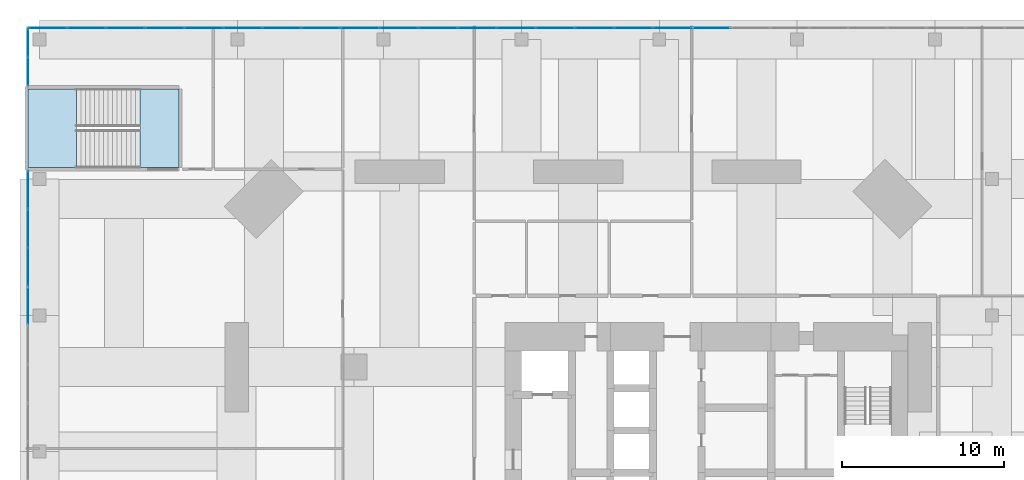
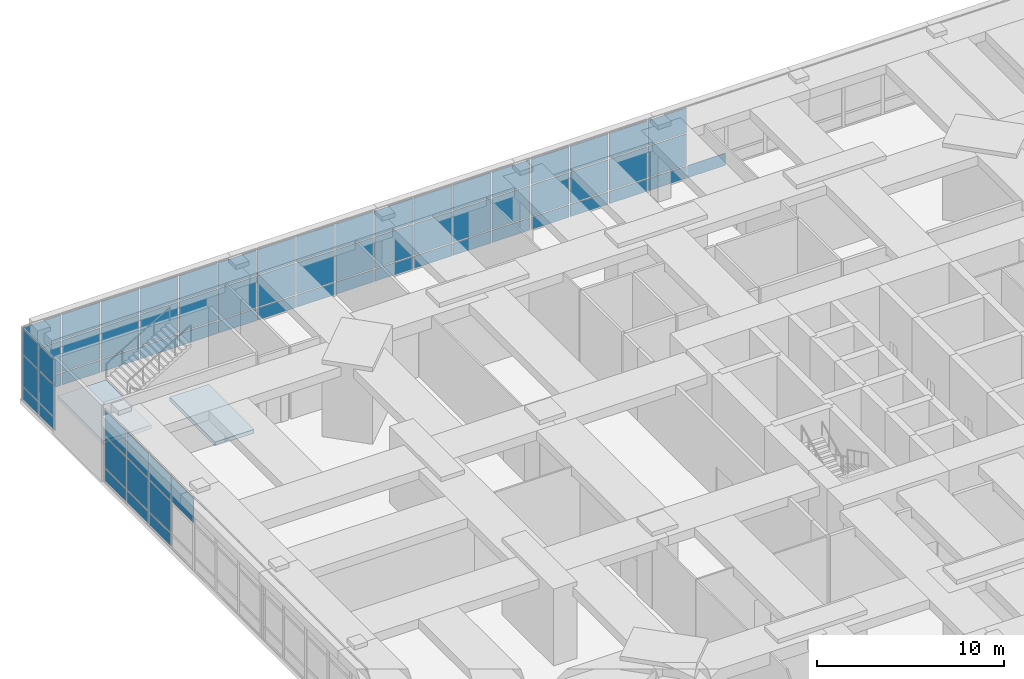
# One storey, part 15 of 22: 68 plates, 2 slabs, 4 elements without a shape of their own.
"""IFC4 building model written with IfcOpenShell, lengths in metres."""

from ifc_helpers import new_model, si_unit, direction, frame, origin, origin_2d, place, context, subcontext, project, spatial, polyline, rectangle, outline, extrude, material, layer, layer_set, type_object, element, aggregate, save


model = new_model("IFC4")

# Units and contexts
model_context = context("Model", 3, precision=1e-05, world=origin(), true_north=direction((0.0, 1.0)))
body_context = subcontext(model_context, "Body", "Model", "MODEL_VIEW")
ifc_project = project(units=[si_unit("LENGTHUNIT", "METRE"), si_unit("AREAUNIT", "SQUARE_METRE"), si_unit("VOLUMEUNIT", "CUBIC_METRE"), si_unit("PLANEANGLEUNIT", "RADIAN"), si_unit("MASSUNIT", "GRAM", prefix="KILO")], contexts=[model_context])

# Site, building, storey
site_placement = place(None, origin())
site = spatial("IfcSite", under=ifc_project, at=site_placement, CompositionType="ELEMENT")
building_placement = place(site_placement, origin())
building = spatial("IfcBuilding", under=site, at=building_placement, Name="Jalousie Tower", CompositionType="ELEMENT")
storey_placement = place(building_placement, frame((0.0, 0.0, 6.0)))
storey = spatial("IfcBuildingStorey", under=building, at=storey_placement, Name="L01", CompositionType="ELEMENT", Elevation=6.0)

# Curtain wall, plates
ifc_material_1 = material(Name="Aluminium curtain wall", Category="aluminium")
curtain_wall_type = type_object("IfcCurtainWallType", Name="PODIUM WINDOW WALL", PredefinedType="USERDEFINED", material=ifc_material_1)
curtain_wall_1_placement = place(storey_placement, origin())
curtain_wall_1 = element("IfcCurtainWall", 1, at=curtain_wall_1_placement, inside=storey, type_object=curtain_wall_type, Name="Podium Window Wall L01 21", ObjectType="PODIUM WINDOW WALL", PredefinedType="USERDEFINED")
ifc_material_2 = material(Name="Laminated impact-rated glass", Category="glass")
ifc_layer_1 = layer(ifc_material_2, 0.030029296875)
ifc_layer_set_1 = layer_set([ifc_layer_1], Name="Laminated impact-rated glass")
plate_type = type_object("IfcPlateType", Name="PODIUM WINDOW WALL PANEL", PredefinedType="CURTAIN_PANEL", material=ifc_layer_set_1)
plate_1_placement = place(storey_placement, frame((32.223388671875, 45.91259765625, 0.070068359375), z_axis=(0.0, 0.0, 1.0), x_axis=(-1.0, 0.0, 0.0)))
plate_1 = element("IfcPlate", 2, at=plate_1_placement, type_object=plate_type, Name="CW-P panel 12.1", PredefinedType="CURTAIN_PANEL", context=body_context, shape_type="SweptSolid", body=[
    extrude(rectangle(XDim=2.337646484375, YDim=0.030029296875, at=origin_2d()), origin(), (0.0, 0.0, 1.0), 0.794921875),
])
plate_2_placement = place(storey_placement, frame((29.8154296875, 45.91259765625, 0.070068359375), z_axis=(0.0, 0.0, 1.0), x_axis=(-1.0, 0.0, 0.0)))
plate_2 = element("IfcPlate", 3, at=plate_2_placement, type_object=plate_type, Name="CW-P panel 13.1", PredefinedType="CURTAIN_PANEL", context=body_context, shape_type="SweptSolid", body=[
    extrude(rectangle(XDim=2.337646484375, YDim=0.030029296875, at=origin_2d()), origin(), (0.0, 0.0, 1.0), 0.794921875),
])
plate_3_placement = place(storey_placement, frame((29.8154296875, 45.91259765625, 0.93505859375), z_axis=(0.0, 0.0, 1.0), x_axis=(-1.0, 0.0, 0.0)))
plate_3 = element("IfcPlate", 4, at=plate_3_placement, type_object=plate_type, Name="CW-P panel 13.2", PredefinedType="CURTAIN_PANEL", context=body_context, shape_type="SweptSolid", body=[
    extrude(rectangle(XDim=2.337646484375, YDim=0.030029296875, at=origin_2d()), origin(), (0.0, 0.0, 1.0), 2.030029296875),
])
plate_4_placement = place(storey_placement, frame((29.8154296875, 45.91259765625, 3.03515625), z_axis=(0.0, 0.0, 1.0), x_axis=(-1.0, 0.0, 0.0)))
plate_4 = element("IfcPlate", 5, at=plate_4_placement, type_object=plate_type, Name="CW-P panel 13.3", PredefinedType="CURTAIN_PANEL", context=body_context, shape_type="SweptSolid", body=[
    extrude(rectangle(XDim=2.337646484375, YDim=0.030029296875, at=origin_2d()), origin(), (0.0, 0.0, 1.0), 1.614990234375),
])
plate_5_placement = place(storey_placement, frame((27.40771484375, 45.91259765625, 0.070068359375), z_axis=(0.0, 0.0, 1.0), x_axis=(-1.0, 0.0, 0.0)))
plate_5 = element("IfcPlate", 6, at=plate_5_placement, type_object=plate_type, Name="CW-P panel 14.1", PredefinedType="CURTAIN_PANEL", context=body_context, shape_type="SweptSolid", body=[
    extrude(rectangle(XDim=2.337646484375, YDim=0.030029296875, at=origin_2d()), origin(), (0.0, 0.0, 1.0), 0.794921875),
])
plate_6_placement = place(storey_placement, frame((27.40771484375, 45.91259765625, 0.93505859375), z_axis=(0.0, 0.0, 1.0), x_axis=(-1.0, 0.0, 0.0)))
plate_6 = element("IfcPlate", 7, at=plate_6_placement, type_object=plate_type, Name="CW-P panel 14.2", PredefinedType="CURTAIN_PANEL", context=body_context, shape_type="SweptSolid", body=[
    extrude(rectangle(XDim=2.337646484375, YDim=0.030029296875, at=origin_2d()), origin(), (0.0, 0.0, 1.0), 2.030029296875),
])
plate_7_placement = place(storey_placement, frame((27.40771484375, 45.91259765625, 3.03515625), z_axis=(0.0, 0.0, 1.0), x_axis=(-1.0, 0.0, 0.0)))
plate_7 = element("IfcPlate", 8, at=plate_7_placement, type_object=plate_type, Name="CW-P panel 14.3", PredefinedType="CURTAIN_PANEL", context=body_context, shape_type="SweptSolid", body=[
    extrude(rectangle(XDim=2.337646484375, YDim=0.030029296875, at=origin_2d()), origin(), (0.0, 0.0, 1.0), 1.614990234375),
])
plate_8_placement = place(storey_placement, frame((25.0, 45.91259765625, 0.070068359375), z_axis=(0.0, 0.0, 1.0), x_axis=(-1.0, 0.0, 0.0)))
plate_8 = element("IfcPlate", 9, at=plate_8_placement, type_object=plate_type, Name="CW-P panel 15.1", PredefinedType="CURTAIN_PANEL", context=body_context, shape_type="SweptSolid", body=[
    extrude(rectangle(XDim=2.337646484375, YDim=0.030029296875, at=origin_2d()), origin(), (0.0, 0.0, 1.0), 0.794921875),
])
plate_9_placement = place(storey_placement, frame((25.0, 45.91259765625, 0.93505859375), z_axis=(0.0, 0.0, 1.0), x_axis=(-1.0, 0.0, 0.0)))
plate_9 = element("IfcPlate", 10, at=plate_9_placement, type_object=plate_type, Name="CW-P panel 15.2", PredefinedType="CURTAIN_PANEL", context=body_context, shape_type="SweptSolid", body=[
    extrude(rectangle(XDim=2.337646484375, YDim=0.030029296875, at=origin_2d()), origin(), (0.0, 0.0, 1.0), 2.030029296875),
])
plate_10_placement = place(storey_placement, frame((25.0, 45.91259765625, 3.03515625), z_axis=(0.0, 0.0, 1.0), x_axis=(-1.0, 0.0, 0.0)))
plate_10 = element("IfcPlate", 11, at=plate_10_placement, type_object=plate_type, Name="CW-P panel 15.3", PredefinedType="CURTAIN_PANEL", context=body_context, shape_type="SweptSolid", body=[
    extrude(rectangle(XDim=2.337646484375, YDim=0.030029296875, at=origin_2d()), origin(), (0.0, 0.0, 1.0), 1.614990234375),
])
plate_11_placement = place(storey_placement, frame((22.59228515625, 45.91259765625, 0.070068359375), z_axis=(0.0, 0.0, 1.0), x_axis=(-1.0, 0.0, 0.0)))
plate_11 = element("IfcPlate", 12, at=plate_11_placement, type_object=plate_type, Name="CW-P panel 16.1", PredefinedType="CURTAIN_PANEL", context=body_context, shape_type="SweptSolid", body=[
    extrude(rectangle(XDim=2.337646484375, YDim=0.030029296875, at=origin_2d()), origin(), (0.0, 0.0, 1.0), 0.794921875),
])
plate_12_placement = place(storey_placement, frame((22.59228515625, 45.91259765625, 0.93505859375), z_axis=(0.0, 0.0, 1.0), x_axis=(-1.0, 0.0, 0.0)))
plate_12 = element("IfcPlate", 13, at=plate_12_placement, type_object=plate_type, Name="CW-P panel 16.2", PredefinedType="CURTAIN_PANEL", context=body_context, shape_type="SweptSolid", body=[
    extrude(rectangle(XDim=2.337646484375, YDim=0.030029296875, at=origin_2d()), origin(), (0.0, 0.0, 1.0), 2.030029296875),
])
plate_13_placement = place(storey_placement, frame((22.59228515625, 45.91259765625, 3.03515625), z_axis=(0.0, 0.0, 1.0), x_axis=(-1.0, 0.0, 0.0)))
plate_13 = element("IfcPlate", 14, at=plate_13_placement, type_object=plate_type, Name="CW-P panel 16.3", PredefinedType="CURTAIN_PANEL", context=body_context, shape_type="SweptSolid", body=[
    extrude(rectangle(XDim=2.337646484375, YDim=0.030029296875, at=origin_2d()), origin(), (0.0, 0.0, 1.0), 1.614990234375),
])
plate_14_placement = place(storey_placement, frame((20.1845703125, 45.91259765625, 0.070068359375), z_axis=(0.0, 0.0, 1.0), x_axis=(-1.0, 0.0, 0.0)))
plate_14 = element("IfcPlate", 15, at=plate_14_placement, type_object=plate_type, Name="CW-P panel 17.1", PredefinedType="CURTAIN_PANEL", context=body_context, shape_type="SweptSolid", body=[
    extrude(rectangle(XDim=2.337646484375, YDim=0.030029296875, at=origin_2d()), origin(), (0.0, 0.0, 1.0), 0.794921875),
])
plate_15_placement = place(storey_placement, frame((20.1845703125, 45.91259765625, 0.93505859375), z_axis=(0.0, 0.0, 1.0), x_axis=(-1.0, 0.0, 0.0)))
plate_15 = element("IfcPlate", 16, at=plate_15_placement, type_object=plate_type, Name="CW-P panel 17.2", PredefinedType="CURTAIN_PANEL", context=body_context, shape_type="SweptSolid", body=[
    extrude(rectangle(XDim=2.337646484375, YDim=0.030029296875, at=origin_2d()), origin(), (0.0, 0.0, 1.0), 2.030029296875),
])
plate_16_placement = place(storey_placement, frame((20.1845703125, 45.91259765625, 3.03515625), z_axis=(0.0, 0.0, 1.0), x_axis=(-1.0, 0.0, 0.0)))
plate_16 = element("IfcPlate", 17, at=plate_16_placement, type_object=plate_type, Name="CW-P panel 17.3", PredefinedType="CURTAIN_PANEL", context=body_context, shape_type="SweptSolid", body=[
    extrude(rectangle(XDim=2.337646484375, YDim=0.030029296875, at=origin_2d()), origin(), (0.0, 0.0, 1.0), 1.614990234375),
])
plate_17_placement = place(storey_placement, frame((17.776611328125, 45.91259765625, 0.070068359375), z_axis=(0.0, 0.0, 1.0), x_axis=(-1.0, 0.0, 0.0)))
plate_17 = element("IfcPlate", 18, at=plate_17_placement, type_object=plate_type, Name="CW-P panel 18.1", PredefinedType="CURTAIN_PANEL", context=body_context, shape_type="SweptSolid", body=[
    extrude(rectangle(XDim=2.337646484375, YDim=0.030029296875, at=origin_2d()), origin(), (0.0, 0.0, 1.0), 0.794921875),
])
plate_18_placement = place(storey_placement, frame((17.776611328125, 45.91259765625, 0.93505859375), z_axis=(0.0, 0.0, 1.0), x_axis=(-1.0, 0.0, 0.0)))
plate_18 = element("IfcPlate", 19, at=plate_18_placement, type_object=plate_type, Name="CW-P panel 18.2", PredefinedType="CURTAIN_PANEL", context=body_context, shape_type="SweptSolid", body=[
    extrude(rectangle(XDim=2.337646484375, YDim=0.030029296875, at=origin_2d()), origin(), (0.0, 0.0, 1.0), 2.030029296875),
])
plate_19_placement = place(storey_placement, frame((17.776611328125, 45.91259765625, 3.03515625), z_axis=(0.0, 0.0, 1.0), x_axis=(-1.0, 0.0, 0.0)))
plate_19 = element("IfcPlate", 20, at=plate_19_placement, type_object=plate_type, Name="CW-P panel 18.3", PredefinedType="CURTAIN_PANEL", context=body_context, shape_type="SweptSolid", body=[
    extrude(rectangle(XDim=2.337646484375, YDim=0.030029296875, at=origin_2d()), origin(), (0.0, 0.0, 1.0), 1.614990234375),
])
plate_20_placement = place(storey_placement, frame((15.368896484375, 45.91259765625, 0.070068359375), z_axis=(0.0, 0.0, 1.0), x_axis=(-1.0, 0.0, 0.0)))
plate_20 = element("IfcPlate", 21, at=plate_20_placement, type_object=plate_type, Name="CW-P panel 19.1", PredefinedType="CURTAIN_PANEL", context=body_context, shape_type="SweptSolid", body=[
    extrude(rectangle(XDim=2.337646484375, YDim=0.030029296875, at=origin_2d()), origin(), (0.0, 0.0, 1.0), 0.794921875),
])
plate_21_placement = place(storey_placement, frame((15.368896484375, 45.91259765625, 0.93505859375), z_axis=(0.0, 0.0, 1.0), x_axis=(-1.0, 0.0, 0.0)))
plate_21 = element("IfcPlate", 22, at=plate_21_placement, type_object=plate_type, Name="CW-P panel 19.2", PredefinedType="CURTAIN_PANEL", context=body_context, shape_type="SweptSolid", body=[
    extrude(rectangle(XDim=2.337646484375, YDim=0.030029296875, at=origin_2d()), origin(), (0.0, 0.0, 1.0), 2.030029296875),
])
plate_22_placement = place(storey_placement, frame((15.368896484375, 45.91259765625, 3.03515625), z_axis=(0.0, 0.0, 1.0), x_axis=(-1.0, 0.0, 0.0)))
plate_22 = element("IfcPlate", 23, at=plate_22_placement, type_object=plate_type, Name="CW-P panel 19.3", PredefinedType="CURTAIN_PANEL", context=body_context, shape_type="SweptSolid", body=[
    extrude(rectangle(XDim=2.337646484375, YDim=0.030029296875, at=origin_2d()), origin(), (0.0, 0.0, 1.0), 1.614990234375),
])
plate_23_placement = place(storey_placement, frame((12.961181640625, 45.91259765625, 0.070068359375), z_axis=(0.0, 0.0, 1.0), x_axis=(-1.0, 0.0, 0.0)))
plate_23 = element("IfcPlate", 24, at=plate_23_placement, type_object=plate_type, Name="CW-P panel 20.1", PredefinedType="CURTAIN_PANEL", context=body_context, shape_type="SweptSolid", body=[
    extrude(rectangle(XDim=2.337646484375, YDim=0.030029296875, at=origin_2d()), origin(), (0.0, 0.0, 1.0), 0.794921875),
])
plate_24_placement = place(storey_placement, frame((12.961181640625, 45.91259765625, 0.93505859375), z_axis=(0.0, 0.0, 1.0), x_axis=(-1.0, 0.0, 0.0)))
plate_24 = element("IfcPlate", 25, at=plate_24_placement, type_object=plate_type, Name="CW-P panel 20.2", PredefinedType="CURTAIN_PANEL", context=body_context, shape_type="SweptSolid", body=[
    extrude(rectangle(XDim=2.337646484375, YDim=0.030029296875, at=origin_2d()), origin(), (0.0, 0.0, 1.0), 2.030029296875),
])
plate_25_placement = place(storey_placement, frame((12.961181640625, 45.91259765625, 3.03515625), z_axis=(0.0, 0.0, 1.0), x_axis=(-1.0, 0.0, 0.0)))
plate_25 = element("IfcPlate", 26, at=plate_25_placement, type_object=plate_type, Name="CW-P panel 20.3", PredefinedType="CURTAIN_PANEL", context=body_context, shape_type="SweptSolid", body=[
    extrude(rectangle(XDim=2.337646484375, YDim=0.030029296875, at=origin_2d()), origin(), (0.0, 0.0, 1.0), 1.614990234375),
])
plate_26_placement = place(storey_placement, frame((10.553466796875, 45.91259765625, 0.070068359375), z_axis=(0.0, 0.0, 1.0), x_axis=(-1.0, 0.0, 0.0)))
plate_26 = element("IfcPlate", 27, at=plate_26_placement, type_object=plate_type, Name="CW-P panel 21.1", PredefinedType="CURTAIN_PANEL", context=body_context, shape_type="SweptSolid", body=[
    extrude(rectangle(XDim=2.337646484375, YDim=0.030029296875, at=origin_2d()), origin(), (0.0, 0.0, 1.0), 0.794921875),
])
plate_27_placement = place(storey_placement, frame((10.553466796875, 45.91259765625, 0.93505859375), z_axis=(0.0, 0.0, 1.0), x_axis=(-1.0, 0.0, 0.0)))
plate_27 = element("IfcPlate", 28, at=plate_27_placement, type_object=plate_type, Name="CW-P panel 21.2", PredefinedType="CURTAIN_PANEL", context=body_context, shape_type="SweptSolid", body=[
    extrude(rectangle(XDim=2.337646484375, YDim=0.030029296875, at=origin_2d()), origin(), (0.0, 0.0, 1.0), 2.030029296875),
])
plate_28_placement = place(storey_placement, frame((10.553466796875, 45.91259765625, 3.03515625), z_axis=(0.0, 0.0, 1.0), x_axis=(-1.0, 0.0, 0.0)))
plate_28 = element("IfcPlate", 29, at=plate_28_placement, type_object=plate_type, Name="CW-P panel 21.3", PredefinedType="CURTAIN_PANEL", context=body_context, shape_type="SweptSolid", body=[
    extrude(rectangle(XDim=2.337646484375, YDim=0.030029296875, at=origin_2d()), origin(), (0.0, 0.0, 1.0), 1.614990234375),
])
plate_29_placement = place(storey_placement, frame((8.145751953125, 45.91259765625, 0.070068359375), z_axis=(0.0, 0.0, 1.0), x_axis=(-1.0, 0.0, 0.0)))
plate_29 = element("IfcPlate", 30, at=plate_29_placement, type_object=plate_type, Name="CW-P panel 22.1", PredefinedType="CURTAIN_PANEL", context=body_context, shape_type="SweptSolid", body=[
    extrude(rectangle(XDim=2.337646484375, YDim=0.030029296875, at=origin_2d()), origin(), (0.0, 0.0, 1.0), 0.794921875),
])
plate_30_placement = place(storey_placement, frame((8.145751953125, 45.91259765625, 0.93505859375), z_axis=(0.0, 0.0, 1.0), x_axis=(-1.0, 0.0, 0.0)))
plate_30 = element("IfcPlate", 31, at=plate_30_placement, type_object=plate_type, Name="CW-P panel 22.2", PredefinedType="CURTAIN_PANEL", context=body_context, shape_type="SweptSolid", body=[
    extrude(rectangle(XDim=2.337646484375, YDim=0.030029296875, at=origin_2d()), origin(), (0.0, 0.0, 1.0), 2.030029296875),
])
plate_31_placement = place(storey_placement, frame((8.145751953125, 45.91259765625, 3.03515625), z_axis=(0.0, 0.0, 1.0), x_axis=(-1.0, 0.0, 0.0)))
plate_31 = element("IfcPlate", 32, at=plate_31_placement, type_object=plate_type, Name="CW-P panel 22.3", PredefinedType="CURTAIN_PANEL", context=body_context, shape_type="SweptSolid", body=[
    extrude(rectangle(XDim=2.337646484375, YDim=0.030029296875, at=origin_2d()), origin(), (0.0, 0.0, 1.0), 1.614990234375),
])
plate_32_placement = place(storey_placement, frame((5.738037109375, 45.91259765625, 0.070068359375), z_axis=(0.0, 0.0, 1.0), x_axis=(-1.0, 0.0, 0.0)))
plate_32 = element("IfcPlate", 33, at=plate_32_placement, type_object=plate_type, Name="CW-P panel 23.1", PredefinedType="CURTAIN_PANEL", context=body_context, shape_type="SweptSolid", body=[
    extrude(rectangle(XDim=2.337646484375, YDim=0.030029296875, at=origin_2d()), origin(), (0.0, 0.0, 1.0), 0.794921875),
])
plate_33_placement = place(storey_placement, frame((5.738037109375, 45.91259765625, 0.93505859375), z_axis=(0.0, 0.0, 1.0), x_axis=(-1.0, 0.0, 0.0)))
plate_33 = element("IfcPlate", 34, at=plate_33_placement, type_object=plate_type, Name="CW-P panel 23.2", PredefinedType="CURTAIN_PANEL", context=body_context, shape_type="SweptSolid", body=[
    extrude(rectangle(XDim=2.337646484375, YDim=0.030029296875, at=origin_2d()), origin(), (0.0, 0.0, 1.0), 2.030029296875),
])
plate_34_placement = place(storey_placement, frame((5.738037109375, 45.91259765625, 3.03515625), z_axis=(0.0, 0.0, 1.0), x_axis=(-1.0, 0.0, 0.0)))
plate_34 = element("IfcPlate", 35, at=plate_34_placement, type_object=plate_type, Name="CW-P panel 23.3", PredefinedType="CURTAIN_PANEL", context=body_context, shape_type="SweptSolid", body=[
    extrude(rectangle(XDim=2.337646484375, YDim=0.030029296875, at=origin_2d()), origin(), (0.0, 0.0, 1.0), 1.614990234375),
])
plate_35_placement = place(storey_placement, frame((3.330078125, 45.91259765625, 0.070068359375), z_axis=(0.0, 0.0, 1.0), x_axis=(-1.0, 0.0, 0.0)))
plate_35 = element("IfcPlate", 36, at=plate_35_placement, type_object=plate_type, Name="CW-P panel 24.1", PredefinedType="CURTAIN_PANEL", context=body_context, shape_type="SweptSolid", body=[
    extrude(rectangle(XDim=2.337646484375, YDim=0.030029296875, at=origin_2d()), origin(), (0.0, 0.0, 1.0), 0.794921875),
])
plate_36_placement = place(storey_placement, frame((3.330078125, 45.91259765625, 0.93505859375), z_axis=(0.0, 0.0, 1.0), x_axis=(-1.0, 0.0, 0.0)))
plate_36 = element("IfcPlate", 37, at=plate_36_placement, type_object=plate_type, Name="CW-P panel 24.2", PredefinedType="CURTAIN_PANEL", context=body_context, shape_type="SweptSolid", body=[
    extrude(rectangle(XDim=2.337646484375, YDim=0.030029296875, at=origin_2d()), origin(), (0.0, 0.0, 1.0), 2.030029296875),
])
plate_37_placement = place(storey_placement, frame((3.330078125, 45.91259765625, 3.03515625), z_axis=(0.0, 0.0, 1.0), x_axis=(-1.0, 0.0, 0.0)))
plate_37 = element("IfcPlate", 38, at=plate_37_placement, type_object=plate_type, Name="CW-P panel 24.3", PredefinedType="CURTAIN_PANEL", context=body_context, shape_type="SweptSolid", body=[
    extrude(rectangle(XDim=2.337646484375, YDim=0.030029296875, at=origin_2d()), origin(), (0.0, 0.0, 1.0), 1.614990234375),
])
plate_38_placement = place(storey_placement, frame((0.92236328125, 45.91259765625, 0.070068359375), z_axis=(0.0, 0.0, 1.0), x_axis=(-1.0, 0.0, 0.0)))
plate_38 = element("IfcPlate", 39, at=plate_38_placement, type_object=plate_type, Name="CW-P panel 25.1", PredefinedType="CURTAIN_PANEL", context=body_context, shape_type="SweptSolid", body=[
    extrude(rectangle(XDim=2.337646484375, YDim=0.030029296875, at=origin_2d()), origin(), (0.0, 0.0, 1.0), 0.794921875),
])
plate_39_placement = place(storey_placement, frame((0.92236328125, 45.91259765625, 0.93505859375), z_axis=(0.0, 0.0, 1.0), x_axis=(-1.0, 0.0, 0.0)))
plate_39 = element("IfcPlate", 40, at=plate_39_placement, type_object=plate_type, Name="CW-P panel 25.2", PredefinedType="CURTAIN_PANEL", context=body_context, shape_type="SweptSolid", body=[
    extrude(rectangle(XDim=2.337646484375, YDim=0.030029296875, at=origin_2d()), origin(), (0.0, 0.0, 1.0), 2.030029296875),
])
plate_40_placement = place(storey_placement, frame((0.92236328125, 45.91259765625, 3.03515625), z_axis=(0.0, 0.0, 1.0), x_axis=(-1.0, 0.0, 0.0)))
plate_40 = element("IfcPlate", 41, at=plate_40_placement, type_object=plate_type, Name="CW-P panel 25.3", PredefinedType="CURTAIN_PANEL", context=body_context, shape_type="SweptSolid", body=[
    extrude(rectangle(XDim=2.337646484375, YDim=0.030029296875, at=origin_2d()), origin(), (0.0, 0.0, 1.0), 1.614990234375),
])
plate_41_placement = place(storey_placement, frame((-1.4853515625, 45.91259765625, 0.070068359375), z_axis=(0.0, 0.0, 1.0), x_axis=(-1.0, 0.0, 0.0)))
plate_41 = element("IfcPlate", 42, at=plate_41_placement, type_object=plate_type, Name="CW-P panel 26.1", PredefinedType="CURTAIN_PANEL", context=body_context, shape_type="SweptSolid", body=[
    extrude(rectangle(XDim=2.337646484375, YDim=0.030029296875, at=origin_2d()), origin(), (0.0, 0.0, 1.0), 0.794921875),
])
plate_42_placement = place(storey_placement, frame((-1.4853515625, 45.91259765625, 0.93505859375), z_axis=(0.0, 0.0, 1.0), x_axis=(-1.0, 0.0, 0.0)))
plate_42 = element("IfcPlate", 43, at=plate_42_placement, type_object=plate_type, Name="CW-P panel 26.2", PredefinedType="CURTAIN_PANEL", context=body_context, shape_type="SweptSolid", body=[
    extrude(rectangle(XDim=2.337646484375, YDim=0.030029296875, at=origin_2d()), origin(), (0.0, 0.0, 1.0), 2.030029296875),
])
plate_43_placement = place(storey_placement, frame((-1.4853515625, 45.91259765625, 3.03515625), z_axis=(0.0, 0.0, 1.0), x_axis=(-1.0, 0.0, 0.0)))
plate_43 = element("IfcPlate", 44, at=plate_43_placement, type_object=plate_type, Name="CW-P panel 26.3", PredefinedType="CURTAIN_PANEL", context=body_context, shape_type="SweptSolid", body=[
    extrude(rectangle(XDim=2.337646484375, YDim=0.030029296875, at=origin_2d()), origin(), (0.0, 0.0, 1.0), 1.614990234375),
])
plate_44_placement = place(storey_placement, frame((-3.89306640625, 45.91259765625, 0.070068359375), z_axis=(0.0, 0.0, 1.0), x_axis=(-1.0, 0.0, 0.0)))
plate_44 = element("IfcPlate", 45, at=plate_44_placement, type_object=plate_type, Name="CW-P panel 27.1", PredefinedType="CURTAIN_PANEL", context=body_context, shape_type="SweptSolid", body=[
    extrude(rectangle(XDim=2.337646484375, YDim=0.030029296875, at=origin_2d()), origin(), (0.0, 0.0, 1.0), 0.794921875),
])
plate_45_placement = place(storey_placement, frame((-3.89306640625, 45.91259765625, 0.93505859375), z_axis=(0.0, 0.0, 1.0), x_axis=(-1.0, 0.0, 0.0)))
plate_45 = element("IfcPlate", 46, at=plate_45_placement, type_object=plate_type, Name="CW-P panel 27.2", PredefinedType="CURTAIN_PANEL", context=body_context, shape_type="SweptSolid", body=[
    extrude(rectangle(XDim=2.337646484375, YDim=0.030029296875, at=origin_2d()), origin(), (0.0, 0.0, 1.0), 2.030029296875),
])
plate_46_placement = place(storey_placement, frame((-3.89306640625, 45.91259765625, 3.03515625), z_axis=(0.0, 0.0, 1.0), x_axis=(-1.0, 0.0, 0.0)))
plate_46 = element("IfcPlate", 47, at=plate_46_placement, type_object=plate_type, Name="CW-P panel 27.3", PredefinedType="CURTAIN_PANEL", context=body_context, shape_type="SweptSolid", body=[
    extrude(rectangle(XDim=2.337646484375, YDim=0.030029296875, at=origin_2d()), origin(), (0.0, 0.0, 1.0), 1.614990234375),
])
plate_47_placement = place(storey_placement, frame((-6.30078125, 45.91259765625, 0.070068359375), z_axis=(0.0, 0.0, 1.0), x_axis=(-1.0, 0.0, 0.0)))
plate_47 = element("IfcPlate", 48, at=plate_47_placement, type_object=plate_type, Name="CW-P panel 28.1", PredefinedType="CURTAIN_PANEL", context=body_context, shape_type="SweptSolid", body=[
    extrude(rectangle(XDim=2.337646484375, YDim=0.030029296875, at=origin_2d()), origin(), (0.0, 0.0, 1.0), 0.794921875),
])
plate_48_placement = place(storey_placement, frame((-6.30078125, 45.91259765625, 0.93505859375), z_axis=(0.0, 0.0, 1.0), x_axis=(-1.0, 0.0, 0.0)))
plate_48 = element("IfcPlate", 49, at=plate_48_placement, type_object=plate_type, Name="CW-P panel 28.2", PredefinedType="CURTAIN_PANEL", context=body_context, shape_type="SweptSolid", body=[
    extrude(rectangle(XDim=2.337646484375, YDim=0.030029296875, at=origin_2d()), origin(), (0.0, 0.0, 1.0), 2.030029296875),
])
plate_49_placement = place(storey_placement, frame((-6.30078125, 45.91259765625, 3.03515625), z_axis=(0.0, 0.0, 1.0), x_axis=(-1.0, 0.0, 0.0)))
plate_49 = element("IfcPlate", 50, at=plate_49_placement, type_object=plate_type, Name="CW-P panel 28.3", PredefinedType="CURTAIN_PANEL", context=body_context, shape_type="SweptSolid", body=[
    extrude(rectangle(XDim=2.337646484375, YDim=0.030029296875, at=origin_2d()), origin(), (0.0, 0.0, 1.0), 1.614990234375),
])
plate_50_placement = place(storey_placement, frame((-8.691162109375, 45.91259765625, 0.070068359375), z_axis=(0.0, 0.0, 1.0), x_axis=(-1.0, 0.0, 0.0)))
plate_50 = element("IfcPlate", 51, at=plate_50_placement, type_object=plate_type, Name="CW-P panel 29.1", PredefinedType="CURTAIN_PANEL", context=body_context, shape_type="SweptSolid", body=[
    extrude(rectangle(XDim=2.302734375, YDim=0.030029296875, at=origin_2d()), origin(), (0.0, 0.0, 1.0), 0.794921875),
])
plate_51_placement = place(storey_placement, frame((-8.691162109375, 45.91259765625, 0.93505859375), z_axis=(0.0, 0.0, 1.0), x_axis=(-1.0, 0.0, 0.0)))
plate_51 = element("IfcPlate", 52, at=plate_51_placement, type_object=plate_type, Name="CW-P panel 29.2", PredefinedType="CURTAIN_PANEL", context=body_context, shape_type="SweptSolid", body=[
    extrude(rectangle(XDim=2.302734375, YDim=0.030029296875, at=origin_2d()), origin(), (0.0, 0.0, 1.0), 2.030029296875),
])
plate_52_placement = place(storey_placement, frame((-8.691162109375, 45.91259765625, 3.03515625), z_axis=(0.0, 0.0, 1.0), x_axis=(-1.0, 0.0, 0.0)))
plate_52 = element("IfcPlate", 53, at=plate_52_placement, type_object=plate_type, Name="CW-P panel 29.3", PredefinedType="CURTAIN_PANEL", context=body_context, shape_type="SweptSolid", body=[
    extrude(rectangle(XDim=2.302734375, YDim=0.030029296875, at=origin_2d()), origin(), (0.0, 0.0, 1.0), 1.614990234375),
])
aggregate(curtain_wall_1, [plate_1, plate_2, plate_3, plate_4, plate_5, plate_6, plate_7, plate_8, plate_9, plate_10, plate_11, plate_12, plate_13, plate_14, plate_15, plate_16, plate_17, plate_18, plate_19, plate_20, plate_21, plate_22, plate_23, plate_24, plate_25, plate_26, plate_27, plate_28, plate_29, plate_30, plate_31, plate_32, plate_33, plate_34, plate_35, plate_36, plate_37, plate_38, plate_39, plate_40, plate_41, plate_42, plate_43, plate_44, plate_45, plate_46, plate_47, plate_48, plate_49, plate_50, plate_51, plate_52])

curtain_wall_2_placement = place(storey_placement, origin())
curtain_wall_2 = element("IfcCurtainWall", 54, at=curtain_wall_2_placement, inside=storey, type_object=curtain_wall_type, Name="Podium Window Wall L01 31", ObjectType="PODIUM WINDOW WALL", PredefinedType="USERDEFINED")
plate_53_placement = place(storey_placement, frame((-9.91259765625, 44.991943359375, 0.070068359375), z_axis=(0.0, 0.0, 1.0), x_axis=(0.0, -1.0, 0.0)))
plate_53 = element("IfcPlate", 55, at=plate_53_placement, type_object=plate_type, Name="CW-P panel 1.1", PredefinedType="CURTAIN_PANEL", context=body_context, shape_type="SweptSolid", body=[
    extrude(rectangle(XDim=1.701171875, YDim=0.030029296875, at=origin_2d()), origin(), (0.0, 0.0, 1.0), 0.794921875),
])
plate_54_placement = place(storey_placement, frame((-9.91259765625, 44.991943359375, 0.93505859375), z_axis=(0.0, 0.0, 1.0), x_axis=(0.0, -1.0, 0.0)))
plate_54 = element("IfcPlate", 56, at=plate_54_placement, type_object=plate_type, Name="CW-P panel 1.2", PredefinedType="CURTAIN_PANEL", context=body_context, shape_type="SweptSolid", body=[
    extrude(rectangle(XDim=1.701171875, YDim=0.030029296875, at=origin_2d()), origin(), (0.0, 0.0, 1.0), 2.030029296875),
])
plate_55_placement = place(storey_placement, frame((-9.91259765625, 44.991943359375, 3.03515625), z_axis=(0.0, 0.0, 1.0), x_axis=(0.0, -1.0, 0.0)))
plate_55 = element("IfcPlate", 57, at=plate_55_placement, type_object=plate_type, Name="CW-P panel 1.3", PredefinedType="CURTAIN_PANEL", context=body_context, shape_type="SweptSolid", body=[
    extrude(rectangle(XDim=1.701171875, YDim=0.030029296875, at=origin_2d()), origin(), (0.0, 0.0, 1.0), 1.614990234375),
])
plate_56_placement = place(storey_placement, frame((-9.91259765625, 43.220703125, 0.070068359375), z_axis=(0.0, 0.0, 1.0), x_axis=(0.0, -1.0, 0.0)))
plate_56 = element("IfcPlate", 58, at=plate_56_placement, type_object=plate_type, Name="CW-P panel 2.1", PredefinedType="CURTAIN_PANEL", context=body_context, shape_type="SweptSolid", body=[
    extrude(rectangle(XDim=1.701171875, YDim=0.030029296875, at=origin_2d()), origin(), (0.0, 0.0, 1.0), 0.794921875),
])
plate_57_placement = place(storey_placement, frame((-9.91259765625, 43.220703125, 0.93505859375), z_axis=(0.0, 0.0, 1.0), x_axis=(0.0, -1.0, 0.0)))
plate_57 = element("IfcPlate", 59, at=plate_57_placement, type_object=plate_type, Name="CW-P panel 2.2", PredefinedType="CURTAIN_PANEL", context=body_context, shape_type="SweptSolid", body=[
    extrude(rectangle(XDim=1.701171875, YDim=0.030029296875, at=origin_2d()), origin(), (0.0, 0.0, 1.0), 2.030029296875),
])
plate_58_placement = place(storey_placement, frame((-9.91259765625, 43.220703125, 3.03515625), z_axis=(0.0, 0.0, 1.0), x_axis=(0.0, -1.0, 0.0)))
plate_58 = element("IfcPlate", 60, at=plate_58_placement, type_object=plate_type, Name="CW-P panel 2.3", PredefinedType="CURTAIN_PANEL", context=body_context, shape_type="SweptSolid", body=[
    extrude(rectangle(XDim=1.701171875, YDim=0.030029296875, at=origin_2d()), origin(), (0.0, 0.0, 1.0), 1.614990234375),
])
aggregate(curtain_wall_2, [plate_53, plate_54, plate_55, plate_56, plate_57, plate_58])

curtain_wall_3_placement = place(storey_placement, origin())
curtain_wall_3 = element("IfcCurtainWall", 61, at=curtain_wall_3_placement, inside=storey, type_object=curtain_wall_type, Name="Podium Window Wall L01 33", ObjectType="PODIUM WINDOW WALL", PredefinedType="USERDEFINED")
plate_59_placement = place(storey_placement, frame((-9.91259765625, 35.936279296875, 0.070068359375), z_axis=(0.0, 0.0, 1.0), x_axis=(0.0, -1.0, 0.0)))
plate_59 = element("IfcPlate", 62, at=plate_59_placement, type_object=plate_type, Name="CW-P panel 1.1", PredefinedType="CURTAIN_PANEL", context=body_context, shape_type="SweptSolid", body=[
    extrude(rectangle(XDim=2.287353515625, YDim=0.030029296875, at=origin_2d()), origin(), (0.0, 0.0, 1.0), 0.794921875),
])
plate_60_placement = place(storey_placement, frame((-9.91259765625, 35.936279296875, 0.93505859375), z_axis=(0.0, 0.0, 1.0), x_axis=(0.0, -1.0, 0.0)))
plate_60 = element("IfcPlate", 63, at=plate_60_placement, type_object=plate_type, Name="CW-P panel 1.2", PredefinedType="CURTAIN_PANEL", context=body_context, shape_type="SweptSolid", body=[
    extrude(rectangle(XDim=2.287353515625, YDim=0.030029296875, at=origin_2d()), origin(), (0.0, 0.0, 1.0), 2.030029296875),
])
plate_61_placement = place(storey_placement, frame((-9.91259765625, 35.936279296875, 3.03515625), z_axis=(0.0, 0.0, 1.0), x_axis=(0.0, -1.0, 0.0)))
plate_61 = element("IfcPlate", 64, at=plate_61_placement, type_object=plate_type, Name="CW-P panel 1.3", PredefinedType="CURTAIN_PANEL", context=body_context, shape_type="SweptSolid", body=[
    extrude(rectangle(XDim=2.287353515625, YDim=0.030029296875, at=origin_2d()), origin(), (0.0, 0.0, 1.0), 1.614990234375),
])
plate_62_placement = place(storey_placement, frame((-9.91259765625, 33.5615234375, 0.070068359375), z_axis=(0.0, 0.0, 1.0), x_axis=(0.0, -1.0, 0.0)))
plate_62 = element("IfcPlate", 65, at=plate_62_placement, type_object=plate_type, Name="CW-P panel 2.1", PredefinedType="CURTAIN_PANEL", context=body_context, shape_type="SweptSolid", body=[
    extrude(rectangle(XDim=2.322265625, YDim=0.030029296875, at=origin_2d()), origin(), (0.0, 0.0, 1.0), 0.794921875),
])
plate_63_placement = place(storey_placement, frame((-9.91259765625, 33.5615234375, 0.93505859375), z_axis=(0.0, 0.0, 1.0), x_axis=(0.0, -1.0, 0.0)))
plate_63 = element("IfcPlate", 66, at=plate_63_placement, type_object=plate_type, Name="CW-P panel 2.2", PredefinedType="CURTAIN_PANEL", context=body_context, shape_type="SweptSolid", body=[
    extrude(rectangle(XDim=2.322265625, YDim=0.030029296875, at=origin_2d()), origin(), (0.0, 0.0, 1.0), 2.030029296875),
])
plate_64_placement = place(storey_placement, frame((-9.91259765625, 33.5615234375, 3.03515625), z_axis=(0.0, 0.0, 1.0), x_axis=(0.0, -1.0, 0.0)))
plate_64 = element("IfcPlate", 67, at=plate_64_placement, type_object=plate_type, Name="CW-P panel 2.3", PredefinedType="CURTAIN_PANEL", context=body_context, shape_type="SweptSolid", body=[
    extrude(rectangle(XDim=2.322265625, YDim=0.030029296875, at=origin_2d()), origin(), (0.0, 0.0, 1.0), 1.614990234375),
])
plate_65_placement = place(storey_placement, frame((-9.91259765625, 31.169189453125, 0.070068359375), z_axis=(0.0, 0.0, 1.0), x_axis=(0.0, -1.0, 0.0)))
plate_65 = element("IfcPlate", 68, at=plate_65_placement, type_object=plate_type, Name="CW-P panel 3.1", PredefinedType="CURTAIN_PANEL", context=body_context, shape_type="SweptSolid", body=[
    extrude(rectangle(XDim=2.322265625, YDim=0.030029296875, at=origin_2d()), origin(), (0.0, 0.0, 1.0), 0.794921875),
])
plate_66_placement = place(storey_placement, frame((-9.91259765625, 31.169189453125, 0.93505859375), z_axis=(0.0, 0.0, 1.0), x_axis=(0.0, -1.0, 0.0)))
plate_66 = element("IfcPlate", 69, at=plate_66_placement, type_object=plate_type, Name="CW-P panel 3.2", PredefinedType="CURTAIN_PANEL", context=body_context, shape_type="SweptSolid", body=[
    extrude(rectangle(XDim=2.322265625, YDim=0.030029296875, at=origin_2d()), origin(), (0.0, 0.0, 1.0), 2.030029296875),
])
plate_67_placement = place(storey_placement, frame((-9.91259765625, 31.169189453125, 3.03515625), z_axis=(0.0, 0.0, 1.0), x_axis=(0.0, -1.0, 0.0)))
plate_67 = element("IfcPlate", 70, at=plate_67_placement, type_object=plate_type, Name="CW-P panel 3.3", PredefinedType="CURTAIN_PANEL", context=body_context, shape_type="SweptSolid", body=[
    extrude(rectangle(XDim=2.322265625, YDim=0.030029296875, at=origin_2d()), origin(), (0.0, 0.0, 1.0), 1.614990234375),
])
plate_68_placement = place(storey_placement, frame((-9.91259765625, 28.77685546875, 3.03515625), z_axis=(0.0, 0.0, 1.0), x_axis=(0.0, -1.0, 0.0)))
plate_68 = element("IfcPlate", 71, at=plate_68_placement, type_object=plate_type, Name="CW-P panel 4.3", PredefinedType="CURTAIN_PANEL", context=body_context, shape_type="SweptSolid", body=[
    extrude(rectangle(XDim=2.322265625, YDim=0.030029296875, at=origin_2d()), origin(), (0.0, 0.0, 1.0), 1.614990234375),
])
aggregate(curtain_wall_3, [plate_59, plate_60, plate_61, plate_62, plate_63, plate_64, plate_65, plate_66, plate_67, plate_68])

# Stair, slabs
ifc_material_3 = material(Name="Concrete f'c 40 MPa", Category="concrete")
stair_type = type_object("IfcStairType", Name="WIDE EXIT STAIR", PredefinedType="HALF_TURN_STAIR", material=ifc_material_3)
stair_placement = place(storey_placement, origin())
stair = element("IfcStair", 72, at=stair_placement, inside=storey, type_object=stair_type, Name="Exit stair PS1 L01", PredefinedType="HALF_TURN_STAIR")
ifc_material_4 = material(Name="Concrete f'c 40 MPa", Category="concrete")
ifc_layer_2 = layer(ifc_material_4, 0.25)
ifc_layer_set_2 = layer_set([ifc_layer_2], Name="Concrete f'c 40 MPa")
slab_type = type_object("IfcSlabType", Name="STAIR LANDING 250", PredefinedType="LANDING", material=ifc_layer_set_2)
slab_1_placement = place(storey_placement, frame((0.0, 0.0, -0.25)))
slab_1 = element("IfcSlab", 73, at=slab_1_placement, type_object=slab_type, Name="PS1 landing 1", PredefinedType="LANDING", context=body_context, shape_type="SweptSolid", body=[
    extrude(outline(polyline([(-0.60009765625, 37.300048828125), (-0.60009765625, 42.14990234375), (-3.010009765625, 42.14990234375), (-3.010009765625, 37.300048828125), (-0.60009765625, 37.300048828125)])), origin(), (0.0, 0.0, 1.0), 0.25),
])
slab_2_placement = place(storey_placement, frame((0.0, 0.0, 2.25)))
slab_2 = element("IfcSlab", 74, at=slab_2_placement, type_object=slab_type, Name="PS1 landing 2", PredefinedType="LANDING", context=body_context, shape_type="SweptSolid", body=[
    extrude(outline(polyline([(-6.929931640625, 42.14990234375), (-9.89990234375, 42.14990234375), (-9.89990234375, 37.300048828125), (-6.929931640625, 37.300048828125), (-6.929931640625, 42.14990234375)])), origin(), (0.0, 0.0, 1.0), 0.25),
])
aggregate(stair, [slab_1, slab_2])

save(model, "model.ifc")
